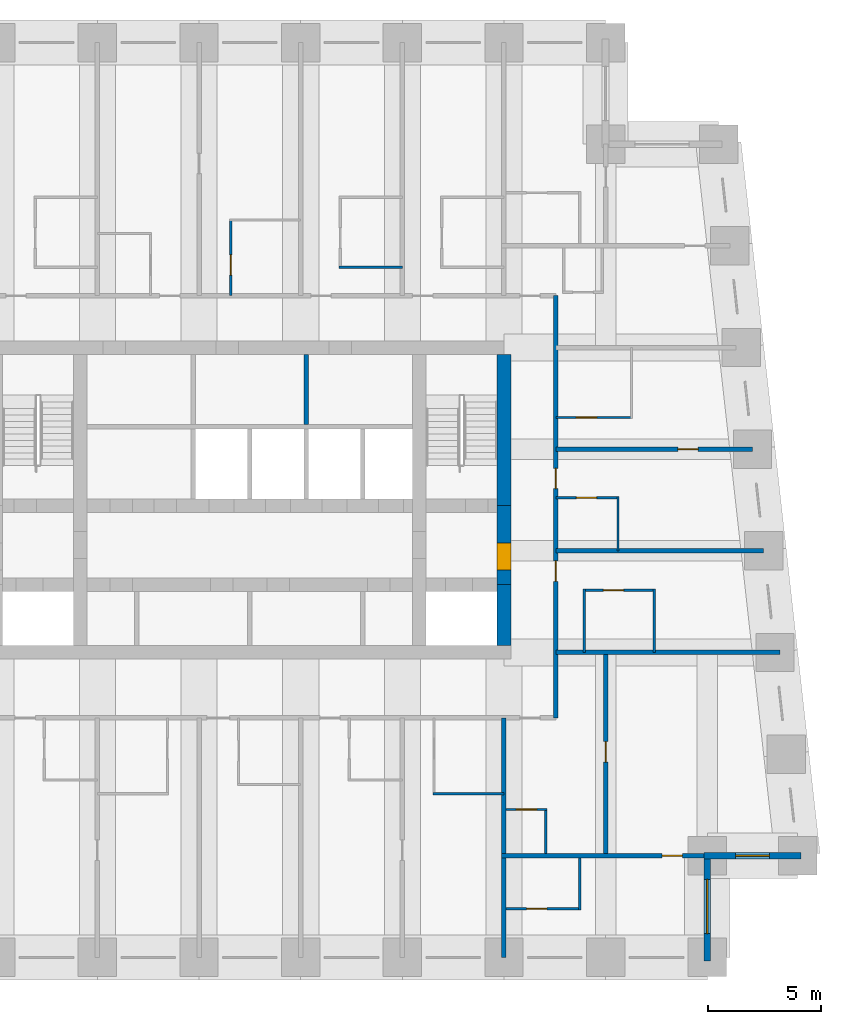
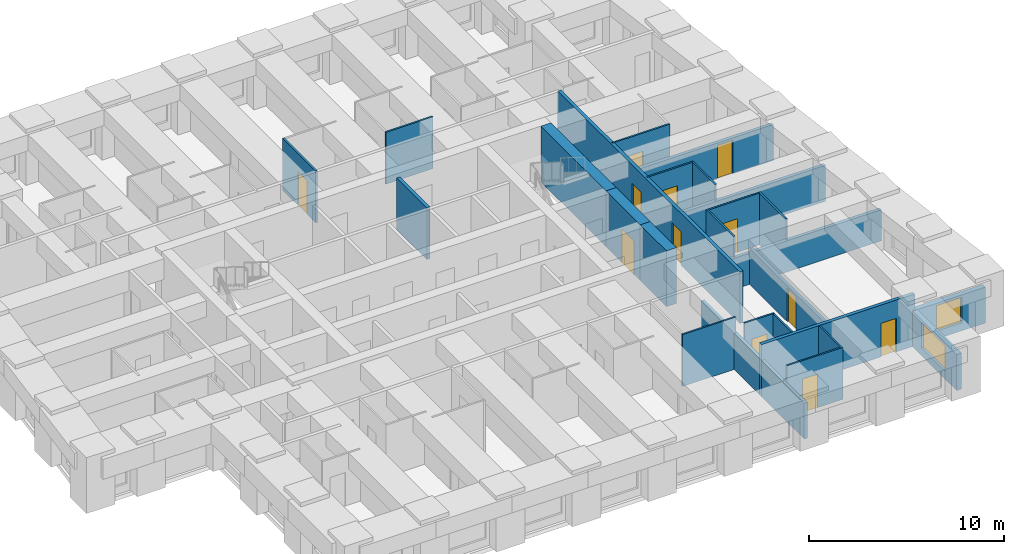
# One storey, part 5 of 8: 26 walls, 12 doors, 2 windows, 14 openings.
"""IFC4 building model written with IfcOpenShell, lengths in metres."""

from ifc_helpers import new_model, si_unit, direction, frame, frame_2d, origin, place, context, subcontext, project, spatial, rectangle, extrude, material, layer, layer_set, type_object, element, fill, save


model = new_model("IFC4")

# Units and contexts
model_context = context("Model", 3, precision=1e-05, world=origin(), true_north=direction((0.0, 1.0)))
body_context = subcontext(model_context, "Body", "Model", "MODEL_VIEW")
ifc_project = project(units=[si_unit("LENGTHUNIT", "METRE"), si_unit("AREAUNIT", "SQUARE_METRE"), si_unit("VOLUMEUNIT", "CUBIC_METRE"), si_unit("PLANEANGLEUNIT", "RADIAN"), si_unit("MASSUNIT", "GRAM", prefix="KILO")], contexts=[model_context])

# Site, building, storey
site_placement = place(None, origin())
site = spatial("IfcSite", under=ifc_project, at=site_placement, CompositionType="ELEMENT")
building_placement = place(site_placement, origin())
building = spatial("IfcBuilding", under=site, at=building_placement, Name="Kilele Tower Hotel", CompositionType="ELEMENT")
storey_placement = place(building_placement, frame((0.0, 0.0, 162.39990234375)))
storey = spatial("IfcBuildingStorey", under=building, at=storey_placement, Name="L41", CompositionType="ELEMENT", Elevation=162.39990234375)

# Walls
ifc_material_1 = material(Name="Moisture-resistant board")
ifc_layer_1 = layer(ifc_material_1, 0.10009765625)
ifc_layer_set_1 = layer_set([ifc_layer_1], Name="Moisture-resistant board")
wall_type_1 = type_object("IfcWallType", Name="Bathroom partition 100", PredefinedType="PLUMBINGWALL", material=ifc_layer_set_1)
wall_1_placement = place(storey_placement, frame((32.85009765625, 7.25, 0.0), z_axis=(0.0, 0.0, 1.0), x_axis=(1.0, 0.0, 0.0)))
element("IfcWall", 1, at=wall_1_placement, inside=storey, type_object=wall_type_1, Name="Bathroom partition 100 L41", PredefinedType="PLUMBINGWALL", context=body_context, shape_type="SweptSolid", body=[
    extrude(rectangle(XDim=3.14990234375, YDim=0.10009765625, at=frame_2d((1.574951171875, 0.0))), origin(), (0.0, 0.0, 1.0), 3.25),
])
for number, where, z_axis, x_axis, name in (
    (2, (39.550048828125, 13.5, 0.0), (0.0, 0.0, 1.0), (0.0, 1.0, 0.0), "Bathroom partition 100 L41"),
    (3, (42.64990234375, 13.5, 0.0), (0.0, 0.0, 1.0), (0.0, 1.0, 0.0), "Bathroom partition 100 L41"),
):
    element("IfcWall", number, at=place(storey_placement, frame(where, z_axis=z_axis, x_axis=x_axis)), inside=storey, type_object=wall_type_1, Name=name, PredefinedType="PLUMBINGWALL", context=body_context, shape_type="SweptSolid", body=[
        extrude(rectangle(XDim=2.800048828125, YDim=0.10009765625, at=frame_2d((1.39990234375, 0.0))), origin(), (0.0, 0.0, 1.0), 3.25),
    ])

# Wall, opening, door
wall_2_placement = place(storey_placement, frame((39.5, 16.25, 0.0), z_axis=(0.0, 0.0, 1.0), x_axis=(1.0, 0.0, 0.0)))
wall_2 = element("IfcWall", 4, at=wall_2_placement, inside=storey, type_object=wall_type_1, Name="Bathroom partition 100 L41", PredefinedType="PLUMBINGWALL", context=body_context, shape_type="SweptSolid", body=[
    extrude(rectangle(XDim=3.199951171875, YDim=0.10009765625, at=frame_2d((1.60009765625, 0.0))), origin(), (0.0, 0.0, 1.0), 3.25),
])
opening_1_placement = place(wall_2_placement, frame((0.89990234375, 0.0, 0.0)))
opening_1 = element("IfcOpeningElement", 5, at=opening_1_placement, cuts=wall_2, Name="Opening D2A", PredefinedType="OPENING", context=body_context, shape_type="SweptSolid", body=[
    extrude(rectangle(XDim=0.89990234375, YDim=2.10009765625, at=frame_2d((0.449951171875, 1.050048828125))), frame((0.0, 0.06005859375, 0.0), z_axis=(0.0, -1.0, 0.0), x_axis=(1.0, 0.0, 0.0)), (0.0, 0.0, 1.0), 0.1201171875),
])
ifc_material_2 = material(Name="Timber door leaf in hardwood frame", Category="wood")
door_type_1 = type_object("IfcDoorType", Name="Bathroom door 900", OperationType="SINGLE_SWING_LEFT", PredefinedType="DOOR", material=ifc_material_2)
door_1_placement = place(opening_1_placement, origin())
door_1 = element("IfcDoor", 6, at=door_1_placement, inside=storey, type_object=door_type_1, Name="Bathroom door 4106B", OperationType="SINGLE_SWING_LEFT", OverallHeight=2.10009765625, OverallWidth=0.89990234375, PredefinedType="DOOR", context=body_context, shape_type="SweptSolid", body=[
    extrude(rectangle(XDim=0.89990234375, YDim=2.10009765625, at=frame_2d((0.449951171875, 1.050048828125))), frame((0.0, 0.02490234375, 0.0), z_axis=(0.0, -1.0, 0.0), x_axis=(1.0, 0.0, 0.0)), (0.0, 0.0, 1.0), 0.050048828125),
])
fill(opening_1, door_1)

# Wall
wall_3_placement = place(storey_placement, frame((41.050048828125, 18.0, 0.0), z_axis=(0.0, 0.0, 1.0), x_axis=(0.0, 1.0, 0.0)))
element("IfcWall", 7, at=wall_3_placement, inside=storey, type_object=wall_type_1, Name="Bathroom partition 100 L41", PredefinedType="PLUMBINGWALL", context=body_context, shape_type="SweptSolid", body=[
    extrude(rectangle(XDim=2.39990234375, YDim=0.10009765625, at=frame_2d((1.199951171875, 0.0))), origin(), (0.0, 0.0, 1.0), 3.25),
])

# Wall, opening, door
wall_4_placement = place(storey_placement, frame((38.300048828125, 20.35009765625, 0.0), z_axis=(0.0, 0.0, 1.0), x_axis=(1.0, 0.0, 0.0)))
wall_4 = element("IfcWall", 8, at=wall_4_placement, inside=storey, type_object=wall_type_1, Name="Bathroom partition 100 L41", PredefinedType="PLUMBINGWALL", context=body_context, shape_type="SweptSolid", body=[
    extrude(rectangle(XDim=2.800048828125, YDim=0.10009765625, at=frame_2d((1.39990234375, 0.0))), origin(), (0.0, 0.0, 1.0), 3.25),
])
opening_2_placement = place(wall_4_placement, frame((0.89990234375, 0.0, 0.0)))
opening_2 = element("IfcOpeningElement", 9, at=opening_2_placement, cuts=wall_4, Name="Opening D2A", PredefinedType="OPENING", context=body_context, shape_type="SweptSolid", body=[
    extrude(rectangle(XDim=0.89990234375, YDim=2.10009765625, at=frame_2d((0.449951171875, 1.050048828125))), frame((0.0, 0.06005859375, 0.0), z_axis=(0.0, -1.0, 0.0), x_axis=(1.0, 0.0, 0.0)), (0.0, 0.0, 1.0), 0.1201171875),
])
door_2_placement = place(opening_2_placement, origin())
door_2 = element("IfcDoor", 10, at=door_2_placement, inside=storey, type_object=door_type_1, Name="Bathroom door 4107B", OperationType="SINGLE_SWING_LEFT", OverallHeight=2.10009765625, OverallWidth=0.89990234375, PredefinedType="DOOR", context=body_context, shape_type="SweptSolid", body=[
    extrude(rectangle(XDim=0.89990234375, YDim=2.10009765625, at=frame_2d((0.449951171875, 1.050048828125))), frame((0.0, 0.02490234375, 0.0), z_axis=(0.0, -1.0, 0.0), x_axis=(1.0, 0.0, 0.0)), (0.0, 0.0, 1.0), 0.050048828125),
])
fill(opening_2, door_2)

wall_5_placement = place(storey_placement, frame((38.300048828125, 23.89990234375, 0.0), z_axis=(0.0, 0.0, 1.0), x_axis=(1.0, 0.0, 0.0)))
wall_5 = element("IfcWall", 11, at=wall_5_placement, inside=storey, type_object=wall_type_1, Name="Bathroom partition 100 L41", PredefinedType="PLUMBINGWALL", context=body_context, shape_type="SweptSolid", body=[
    extrude(rectangle(XDim=3.39990234375, YDim=0.10009765625, at=frame_2d((1.699951171875, 0.0))), origin(), (0.0, 0.0, 1.0), 3.25),
])
opening_3_placement = place(wall_5_placement, frame((1.7998046875, 0.0, 0.0), z_axis=(0.0, 0.0, 1.0), x_axis=(-1.0, 0.0, 0.0)))
opening_3 = element("IfcOpeningElement", 12, at=opening_3_placement, cuts=wall_5, Name="Opening D2A", PredefinedType="OPENING", context=body_context, shape_type="SweptSolid", body=[
    extrude(rectangle(XDim=0.89990234375, YDim=2.10009765625, at=frame_2d((0.449951171875, 1.050048828125))), frame((0.0, 0.06005859375, 0.0), z_axis=(0.0, -1.0, 0.0), x_axis=(1.0, 0.0, 0.0)), (0.0, 0.0, 1.0), 0.1201171875),
])
door_3_placement = place(opening_3_placement, origin())
door_3 = element("IfcDoor", 13, at=door_3_placement, inside=storey, type_object=door_type_1, Name="Bathroom door 4108B", OperationType="SINGLE_SWING_RIGHT", OverallHeight=2.10009765625, OverallWidth=0.89990234375, PredefinedType="DOOR", context=body_context, shape_type="SweptSolid", body=[
    extrude(rectangle(XDim=0.89990234375, YDim=2.10009765625, at=frame_2d((0.449951171875, 1.050048828125))), frame((0.0, 0.02490234375, 0.0), z_axis=(0.0, -1.0, 0.0), x_axis=(1.0, 0.0, 0.0)), (0.0, 0.0, 1.0), 0.050048828125),
])
fill(opening_3, door_3)

wall_6_placement = place(storey_placement, frame((23.89990234375, 29.300048828125, 0.0), z_axis=(0.0, 0.0, 1.0), x_axis=(0.0, 1.0, 0.0)))
wall_6 = element("IfcWall", 14, at=wall_6_placement, inside=storey, type_object=wall_type_1, Name="Bathroom partition 100 L41", PredefinedType="PLUMBINGWALL", context=body_context, shape_type="SweptSolid", body=[
    extrude(rectangle(XDim=3.39990234375, YDim=0.10009765625, at=frame_2d((1.699951171875, 0.0))), origin(), (0.0, 0.0, 1.0), 3.25),
])
opening_4_placement = place(wall_6_placement, frame((0.89990234375, 0.0, 0.0)))
opening_4 = element("IfcOpeningElement", 15, at=opening_4_placement, cuts=wall_6, Name="Opening D2A", PredefinedType="OPENING", context=body_context, shape_type="SweptSolid", body=[
    extrude(rectangle(XDim=0.89990234375, YDim=2.10009765625, at=frame_2d((0.449951171875, 1.050048828125))), frame((0.0, 0.06005859375, 0.0), z_axis=(0.0, -1.0, 0.0), x_axis=(1.0, 0.0, 0.0)), (0.0, 0.0, 1.0), 0.1201171875),
])
door_4_placement = place(opening_4_placement, origin())
door_4 = element("IfcDoor", 16, at=door_4_placement, inside=storey, type_object=door_type_1, Name="Bathroom door 4111B", OperationType="SINGLE_SWING_LEFT", OverallHeight=2.10009765625, OverallWidth=0.89990234375, PredefinedType="DOOR", context=body_context, shape_type="SweptSolid", body=[
    extrude(rectangle(XDim=0.89990234375, YDim=2.10009765625, at=frame_2d((0.449951171875, 1.050048828125))), frame((0.0, 0.02490234375, 0.0), z_axis=(0.0, -1.0, 0.0), x_axis=(1.0, 0.0, 0.0)), (0.0, 0.0, 1.0), 0.050048828125),
])
fill(opening_4, door_4)

# Walls
wall_7_placement = place(storey_placement, frame((28.699951171875, 30.550048828125, 0.0), z_axis=(0.0, 0.0, 1.0), x_axis=(1.0, 0.0, 0.0)))
element("IfcWall", 17, at=wall_7_placement, inside=storey, type_object=wall_type_1, Name="Bathroom partition 100 L41", PredefinedType="PLUMBINGWALL", context=body_context, shape_type="SweptSolid", body=[
    extrude(rectangle(XDim=2.800048828125, YDim=0.10009765625, at=frame_2d((1.39990234375, 0.0))), origin(), (0.0, 0.0, 1.0), 3.25),
])
wall_8_placement = place(storey_placement, frame((37.85009765625, 4.60009765625, 0.0), z_axis=(0.0, 0.0, 1.0), x_axis=(0.0, 1.0, 0.0)))
element("IfcWall", 18, at=wall_8_placement, inside=storey, type_object=wall_type_1, Name="Bathroom partition 100 L41", PredefinedType="PLUMBINGWALL", context=body_context, shape_type="SweptSolid", body=[
    extrude(rectangle(XDim=2.0, YDim=0.10009765625, at=frame_2d((1.0, 0.0))), origin(), (0.0, 0.0, 1.0), 3.25),
])

# Wall, opening, door
wall_9_placement = place(storey_placement, frame((36.10009765625, 6.550048828125, 0.0), z_axis=(0.0, 0.0, 1.0), x_axis=(1.0, 0.0, 0.0)))
wall_9 = element("IfcWall", 19, at=wall_9_placement, inside=storey, type_object=wall_type_1, Name="Bathroom partition 100 L41", PredefinedType="PLUMBINGWALL", context=body_context, shape_type="SweptSolid", body=[
    extrude(rectangle(XDim=1.7998046875, YDim=0.10009765625, at=frame_2d((0.89990234375, 0.0))), origin(), (0.0, 0.0, 1.0), 3.25),
])
opening_5_placement = place(wall_9_placement, frame((0.449951171875, 0.0, 0.0)))
opening_5 = element("IfcOpeningElement", 20, at=opening_5_placement, cuts=wall_9, Name="Opening D2A", PredefinedType="OPENING", context=body_context, shape_type="SweptSolid", body=[
    extrude(rectangle(XDim=0.89990234375, YDim=2.10009765625, at=frame_2d((0.449951171875, 1.050048828125))), frame((0.0, 0.06005859375, 0.0), z_axis=(0.0, -1.0, 0.0), x_axis=(1.0, 0.0, 0.0)), (0.0, 0.0, 1.0), 0.1201171875),
])
door_5_placement = place(opening_5_placement, origin())
door_5 = element("IfcDoor", 21, at=door_5_placement, inside=storey, type_object=door_type_1, Name="Bathroom door 4119P", OperationType="SINGLE_SWING_LEFT", OverallHeight=2.10009765625, OverallWidth=0.89990234375, PredefinedType="DOOR", context=body_context, shape_type="SweptSolid", body=[
    extrude(rectangle(XDim=0.89990234375, YDim=2.10009765625, at=frame_2d((0.449951171875, 1.050048828125))), frame((0.0, 0.02490234375, 0.0), z_axis=(0.0, -1.0, 0.0), x_axis=(1.0, 0.0, 0.0)), (0.0, 0.0, 1.0), 0.050048828125),
])
fill(opening_5, door_5)

# Wall
wall_10_placement = place(storey_placement, frame((39.35009765625, 4.39990234375, 0.0), z_axis=(0.0, 0.0, 1.0), x_axis=(0.0, -1.0, 0.0)))
element("IfcWall", 22, at=wall_10_placement, inside=storey, type_object=wall_type_1, Name="Bathroom partition 100 L41", PredefinedType="PLUMBINGWALL", context=body_context, shape_type="SweptSolid", body=[
    extrude(rectangle(XDim=2.2998046875, YDim=0.10009765625, at=frame_2d((1.14990234375, 0.0))), origin(), (0.0, 0.0, 1.0), 3.25),
])

# Wall, opening, door
wall_11_placement = place(storey_placement, frame((36.10009765625, 2.14990234375, 0.0), z_axis=(0.0, 0.0, 1.0), x_axis=(1.0, 0.0, 0.0)))
wall_11 = element("IfcWall", 23, at=wall_11_placement, inside=storey, type_object=wall_type_1, Name="Bathroom partition 100 L41", PredefinedType="PLUMBINGWALL", context=body_context, shape_type="SweptSolid", body=[
    extrude(rectangle(XDim=3.2998046875, YDim=0.10009765625, at=frame_2d((1.64990234375, 0.0))), origin(), (0.0, 0.0, 1.0), 3.25),
])
opening_6_placement = place(wall_11_placement, frame((1.7998046875, 0.0, 0.0), z_axis=(0.0, 0.0, 1.0), x_axis=(-1.0, 0.0, 0.0)))
opening_6 = element("IfcOpeningElement", 24, at=opening_6_placement, cuts=wall_11, Name="Opening D2A", PredefinedType="OPENING", context=body_context, shape_type="SweptSolid", body=[
    extrude(rectangle(XDim=0.89990234375, YDim=2.10009765625, at=frame_2d((0.449951171875, 1.050048828125))), frame((0.0, 0.06005859375, 0.0), z_axis=(0.0, -1.0, 0.0), x_axis=(1.0, 0.0, 0.0)), (0.0, 0.0, 1.0), 0.1201171875),
])
door_6_placement = place(opening_6_placement, origin())
door_6 = element("IfcDoor", 25, at=door_6_placement, inside=storey, type_object=door_type_1, Name="Bathroom door 4121B", OperationType="SINGLE_SWING_RIGHT", OverallHeight=2.10009765625, OverallWidth=0.89990234375, PredefinedType="DOOR", context=body_context, shape_type="SweptSolid", body=[
    extrude(rectangle(XDim=0.89990234375, YDim=2.10009765625, at=frame_2d((0.449951171875, 1.050048828125))), frame((0.0, 0.02490234375, 0.0), z_axis=(0.0, -1.0, 0.0), x_axis=(1.0, 0.0, 0.0)), (0.0, 0.0, 1.0), 0.050048828125),
])
fill(opening_6, door_6)

# Wall
ifc_material_3 = material(Name="Concrete C70/85", Category="concrete")
ifc_layer_2 = layer(ifc_material_3, 0.60009765625)
ifc_layer_set_2 = layer_set([ifc_layer_2], Name="Concrete C70/85")
wall_type_2 = type_object("IfcWallType", Name="Core wall 600 C70/85", PredefinedType="SHEAR", material=ifc_layer_set_2)
wall_12_placement = place(storey_placement, frame((36.0, 13.800048828125, 0.0), z_axis=(0.0, 0.0, 1.0), x_axis=(0.0, 1.0, 0.0)))
element("IfcWall", 26, at=wall_12_placement, inside=storey, type_object=wall_type_2, Name="Core wall E1 L41", PredefinedType="SHEAR", context=body_context, shape_type="SweptSolid", body=[
    extrude(rectangle(XDim=2.699951171875, YDim=0.60009765625, at=frame_2d((1.35009765625, 0.0))), origin(), (0.0, 0.0, 1.0), 3.5),
])

# Wall, opening, door
wall_13_placement = place(storey_placement, frame((36.0, 16.5, 0.0), z_axis=(0.0, 0.0, 1.0), x_axis=(0.0, 1.0, 0.0)))
wall_13 = element("IfcWall", 27, at=wall_13_placement, inside=storey, type_object=wall_type_2, Name="Core wall E2 L41", PredefinedType="SHEAR", context=body_context, shape_type="SweptSolid", body=[
    extrude(rectangle(XDim=3.5, YDim=0.60009765625, at=frame_2d((1.75, 0.0))), origin(), (0.0, 0.0, 1.0), 3.5),
])
opening_7_placement = place(wall_13_placement, frame((0.64990234375, 0.0, 0.0)))
opening_7 = element("IfcOpeningElement", 28, at=opening_7_placement, cuts=wall_13, Name="Opening D4", PredefinedType="OPENING", context=body_context, shape_type="SweptSolid", body=[
    extrude(rectangle(XDim=1.199951171875, YDim=2.10009765625, at=frame_2d((0.60009765625, 1.050048828125))), frame((0.0, 0.31005859375, 0.0), z_axis=(0.0, -1.0, 0.0), x_axis=(1.0, 0.0, 0.0)), (0.0, 0.0, 1.0), 0.6201171875),
])
ifc_material_4 = material(Name="Timber door leaf in hardwood frame", Category="wood")
door_type_2 = type_object("IfcDoorType", Name="Firefighting lobby door 1200", OperationType="SINGLE_SWING_LEFT", PredefinedType="DOOR", material=ifc_material_4)
door_7_placement = place(opening_7_placement, origin())
door_7 = element("IfcDoor", 29, at=door_7_placement, inside=storey, type_object=door_type_2, Name="Lobby door L41", OperationType="SINGLE_SWING_LEFT", OverallHeight=2.10009765625, OverallWidth=1.199951171875, PredefinedType="DOOR", context=body_context, shape_type="SweptSolid", body=[
    extrude(rectangle(XDim=1.199951171875, YDim=2.10009765625, at=frame_2d((0.60009765625, 1.050048828125))), frame((0.0, 0.2998046875, 0.0), z_axis=(0.0, -1.0, 0.0), x_axis=(1.0, 0.0, 0.0)), (0.0, 0.0, 1.0), 0.599609375),
])
fill(opening_7, door_7)

# Wall
wall_14_placement = place(storey_placement, frame((36.0, 20.0, 0.0), z_axis=(0.0, 0.0, 1.0), x_axis=(0.0, 1.0, 0.0)))
element("IfcWall", 30, at=wall_14_placement, inside=storey, type_object=wall_type_2, Name="Core wall E3 L41", PredefinedType="SHEAR", context=body_context, shape_type="SweptSolid", body=[
    extrude(rectangle(XDim=6.699951171875, YDim=0.60009765625, at=frame_2d((3.35009765625, 0.0))), origin(), (0.0, 0.0, 1.0), 3.5),
])

# Wall, openings, doors
ifc_material_5 = material(Name="Blockwork, plastered both sides", Category="masonry")
ifc_layer_3 = layer(ifc_material_5, 0.199951171875)
ifc_layer_set_3 = layer_set([ifc_layer_3], Name="Blockwork, plastered both sides")
wall_type_3 = type_object("IfcWallType", Name="Corridor wall 200", PredefinedType="PARTITIONING", material=ifc_layer_set_3)
wall_15_placement = place(storey_placement, frame((38.300048828125, 10.60009765625, 0.0), z_axis=(0.0, 0.0, 1.0), x_axis=(0.0, 1.0, 0.0)))
wall_15 = element("IfcWall", 31, at=wall_15_placement, inside=storey, type_object=wall_type_3, Name="Corridor wall 200 L41", PredefinedType="PARTITIONING", context=body_context, shape_type="SweptSolid", body=[
    extrude(rectangle(XDim=18.699951171875, YDim=0.199951171875, at=frame_2d((9.35009765625, 0.0))), origin(), (0.0, 0.0, 1.0), 3.25),
])
opening_8_placement = place(wall_15_placement, frame((6.949951171875, 0.0, 0.0), z_axis=(0.0, 0.0, 1.0), x_axis=(-1.0, 0.0, 0.0)))
opening_8 = element("IfcOpeningElement", 32, at=opening_8_placement, cuts=wall_15, Name="Opening D1", PredefinedType="OPENING", context=body_context, shape_type="SweptSolid", body=[
    extrude(rectangle(XDim=0.89990234375, YDim=2.10009765625, at=frame_2d((0.449951171875, 1.050048828125))), frame((0.0, 0.10986328125, 0.0), z_axis=(0.0, -1.0, 0.0), x_axis=(1.0, 0.0, 0.0)), (0.0, 0.0, 1.0), 0.219970703125),
])
opening_9_placement = place(wall_15_placement, frame((11.0498046875, 0.0, 0.0), z_axis=(0.0, 0.0, 1.0), x_axis=(-1.0, 0.0, 0.0)))
opening_9 = element("IfcOpeningElement", 33, at=opening_9_placement, cuts=wall_15, Name="Opening D1", PredefinedType="OPENING", context=body_context, shape_type="SweptSolid", body=[
    extrude(rectangle(XDim=0.89990234375, YDim=2.10009765625, at=frame_2d((0.449951171875, 1.050048828125))), frame((0.0, 0.10986328125, 0.0), z_axis=(0.0, -1.0, 0.0), x_axis=(1.0, 0.0, 0.0)), (0.0, 0.0, 1.0), 0.219970703125),
])
ifc_material_6 = material(Name="Timber door leaf in hardwood frame", Category="wood")
door_type_3 = type_object("IfcDoorType", Name="Guest room entrance door 900", OperationType="SINGLE_SWING_LEFT", PredefinedType="DOOR", material=ifc_material_6)
door_8_placement = place(opening_8_placement, origin())
door_8 = element("IfcDoor", 34, at=door_8_placement, inside=storey, type_object=door_type_3, Name="Room entrance 4106", OperationType="SINGLE_SWING_LEFT", OverallHeight=2.10009765625, OverallWidth=0.89990234375, PredefinedType="DOOR", context=body_context, shape_type="SweptSolid", body=[
    extrude(rectangle(XDim=0.89990234375, YDim=2.10009765625, at=frame_2d((0.449951171875, 1.050048828125))), frame((0.0, 0.02490234375, 0.0), z_axis=(0.0, -1.0, 0.0), x_axis=(1.0, 0.0, 0.0)), (0.0, 0.0, 1.0), 0.050048828125),
])
fill(opening_8, door_8)
door_9_placement = place(opening_9_placement, origin())
door_9 = element("IfcDoor", 35, at=door_9_placement, inside=storey, type_object=door_type_3, Name="Room entrance 4107", OperationType="SINGLE_SWING_RIGHT", OverallHeight=2.10009765625, OverallWidth=0.89990234375, PredefinedType="DOOR", context=body_context, shape_type="SweptSolid", body=[
    extrude(rectangle(XDim=0.89990234375, YDim=2.10009765625, at=frame_2d((0.449951171875, 1.050048828125))), frame((0.0, 0.02490234375, 0.0), z_axis=(0.0, -1.0, 0.0), x_axis=(1.0, 0.0, 0.0)), (0.0, 0.0, 1.0), 0.050048828125),
])
fill(opening_9, door_9)

# Wall, opening, door
ifc_material_7 = material(Name="Blockwork, plastered both sides", Category="masonry")
ifc_layer_4 = layer(ifc_material_7, 0.199951171875)
ifc_layer_set_4 = layer_set([ifc_layer_4], Name="Blockwork, plastered both sides")
wall_type_4 = type_object("IfcWallType", Name="Partition wall 200", PredefinedType="PARTITIONING", material=ifc_layer_set_4)
wall_16_placement = place(storey_placement, frame((40.5, 4.60009765625, 0.0), z_axis=(0.0, 0.0, 1.0), x_axis=(0.0, 1.0, 0.0)))
wall_16 = element("IfcWall", 36, at=wall_16_placement, inside=storey, type_object=wall_type_4, Name="Partition wall 200 L41", PredefinedType="PARTITIONING", context=body_context, shape_type="SweptSolid", body=[
    extrude(rectangle(XDim=8.7998046875, YDim=0.199951171875, at=frame_2d((4.39990234375, 0.0))), origin(), (0.0, 0.0, 1.0), 2.25),
])
opening_10_placement = place(wall_16_placement, frame((4.050048828125, 0.0, 0.0)))
opening_10 = element("IfcOpeningElement", 37, at=opening_10_placement, cuts=wall_16, Name="Opening D3", PredefinedType="OPENING", context=body_context, shape_type="SweptSolid", body=[
    extrude(rectangle(XDim=0.89990234375, YDim=2.10009765625, at=frame_2d((0.449951171875, 1.050048828125))), frame((0.0, 0.10986328125, 0.0), z_axis=(0.0, -1.0, 0.0), x_axis=(1.0, 0.0, 0.0)), (0.0, 0.0, 1.0), 0.219970703125),
])
ifc_material_8 = material(Name="Timber door leaf in hardwood frame", Category="wood")
door_type_4 = type_object("IfcDoorType", Name="Suite internal door 900", OperationType="SINGLE_SWING_LEFT", PredefinedType="DOOR", material=ifc_material_8)
door_10_placement = place(opening_10_placement, origin())
door_10 = element("IfcDoor", 38, at=door_10_placement, inside=storey, type_object=door_type_4, Name="Suite door 4120", OperationType="SINGLE_SWING_RIGHT", OverallHeight=2.10009765625, OverallWidth=0.89990234375, PredefinedType="DOOR", context=body_context, shape_type="SweptSolid", body=[
    extrude(rectangle(XDim=0.89990234375, YDim=2.10009765625, at=frame_2d((0.449951171875, 1.050048828125))), frame((0.0, 0.02490234375, 0.0), z_axis=(0.0, -1.0, 0.0), x_axis=(1.0, 0.0, 0.0)), (0.0, 0.0, 1.0), 0.050048828125),
])
fill(opening_10, door_10)

# Wall
ifc_material_9 = material(Name="Blockwork, plastered both sides", Category="masonry")
ifc_layer_5 = layer(ifc_material_9, 0.199951171875)
ifc_layer_set_5 = layer_set([ifc_layer_5], Name="Blockwork, plastered both sides")
wall_type_5 = type_object("IfcWallType", Name="Party wall 200", PredefinedType="PARTITIONING", material=ifc_layer_set_5)
wall_17_placement = place(storey_placement, frame((38.300048828125, 18.0, 0.0), z_axis=(0.0, 0.0, 1.0), x_axis=(1.0, 0.0, 0.0)))
element("IfcWall", 39, at=wall_17_placement, inside=storey, type_object=wall_type_5, Name="Party wall 200 L41", PredefinedType="PARTITIONING", context=body_context, shape_type="SweptSolid", body=[
    extrude(rectangle(XDim=9.198974609375, YDim=0.199951171875, at=frame_2d((4.599609375, 0.0))), origin(), (0.0, 0.0, 1.0), 2.25),
])

# Wall, opening, door
wall_18_placement = place(storey_placement, frame((38.300048828125, 22.5, 0.0), z_axis=(0.0, 0.0, 1.0), x_axis=(1.0, 0.0, 0.0)))
wall_18 = element("IfcWall", 40, at=wall_18_placement, inside=storey, type_object=wall_type_5, Name="Party wall 200 L41", PredefinedType="PARTITIONING", context=body_context, shape_type="SweptSolid", body=[
    extrude(rectangle(XDim=8.698974609375, YDim=0.199951171875, at=frame_2d((4.349609375, 0.0))), origin(), (0.0, 0.0, 1.0), 2.25),
])
opening_11_placement = place(wall_18_placement, frame((5.39990234375, 0.0, 0.0)))
opening_11 = element("IfcOpeningElement", 41, at=opening_11_placement, cuts=wall_18, Name="Opening D3", PredefinedType="OPENING", context=body_context, shape_type="SweptSolid", body=[
    extrude(rectangle(XDim=0.89990234375, YDim=2.10009765625, at=frame_2d((0.449951171875, 1.050048828125))), frame((0.0, 0.10986328125, 0.0), z_axis=(0.0, -1.0, 0.0), x_axis=(1.0, 0.0, 0.0)), (0.0, 0.0, 1.0), 0.219970703125),
])
door_11_placement = place(opening_11_placement, origin())
door_11 = element("IfcDoor", 42, at=door_11_placement, inside=storey, type_object=door_type_4, Name="Suite door 4108", OperationType="SINGLE_SWING_RIGHT", OverallHeight=2.10009765625, OverallWidth=0.89990234375, PredefinedType="DOOR", context=body_context, shape_type="SweptSolid", body=[
    extrude(rectangle(XDim=0.89990234375, YDim=2.10009765625, at=frame_2d((0.449951171875, 1.050048828125))), frame((0.0, 0.02490234375, 0.0), z_axis=(0.0, -1.0, 0.0), x_axis=(1.0, 0.0, 0.0)), (0.0, 0.0, 1.0), 0.050048828125),
])
fill(opening_11, door_11)

# Walls
wall_19_placement = place(storey_placement, frame((38.300048828125, 13.5, 0.0), z_axis=(0.0, 0.0, 1.0), x_axis=(1.0, 0.0, 0.0)))
element("IfcWall", 43, at=wall_19_placement, inside=storey, type_object=wall_type_5, Name="Party wall 200 L41", PredefinedType="PARTITIONING", context=body_context, shape_type="SweptSolid", body=[
    extrude(rectangle(XDim=9.921142578125, YDim=0.199951171875, at=frame_2d((4.96044921875, 0.0))), origin(), (0.0, 0.0, 1.0), 1.9501953125),
])
wall_20_placement = place(storey_placement, frame((36.0, 10.60009765625, 0.0), z_axis=(0.0, 0.0, 1.0), x_axis=(0.0, -1.0, 0.0)))
element("IfcWall", 44, at=wall_20_placement, inside=storey, type_object=wall_type_5, Name="Party wall 200 L41", PredefinedType="PARTITIONING", context=body_context, shape_type="SweptSolid", body=[
    extrude(rectangle(XDim=10.60009765625, YDim=0.199951171875, at=frame_2d((5.300048828125, 0.0))), origin(), (0.0, 0.0, 1.0), 2.25),
])

# Wall, opening, door
wall_21_placement = place(storey_placement, frame((35.89990234375, 4.5, 0.0), z_axis=(0.0, 0.0, 1.0), x_axis=(1.0, 0.0, 0.0)))
wall_21 = element("IfcWall", 45, at=wall_21_placement, inside=storey, type_object=wall_type_5, Name="Party wall 200 L41", PredefinedType="PARTITIONING", context=body_context, shape_type="SweptSolid", body=[
    extrude(rectangle(XDim=9.10009765625, YDim=0.199951171875, at=frame_2d((4.550048828125, 0.0))), origin(), (0.0, 0.0, 1.0), 3.25),
])
opening_12_placement = place(wall_21_placement, frame((7.10009765625, 0.0, 0.0)))
opening_12 = element("IfcOpeningElement", 46, at=opening_12_placement, cuts=wall_21, Name="Opening D3", PredefinedType="OPENING", context=body_context, shape_type="SweptSolid", body=[
    extrude(rectangle(XDim=0.89990234375, YDim=2.10009765625, at=frame_2d((0.449951171875, 1.050048828125))), frame((0.0, 0.10986328125, 0.0), z_axis=(0.0, -1.0, 0.0), x_axis=(1.0, 0.0, 0.0)), (0.0, 0.0, 1.0), 0.219970703125),
])
door_12_placement = place(opening_12_placement, origin())
door_12 = element("IfcDoor", 47, at=door_12_placement, inside=storey, type_object=door_type_4, Name="Suite door 4121", OperationType="SINGLE_SWING_RIGHT", OverallHeight=2.10009765625, OverallWidth=0.89990234375, PredefinedType="DOOR", context=body_context, shape_type="SweptSolid", body=[
    extrude(rectangle(XDim=0.89990234375, YDim=2.10009765625, at=frame_2d((0.449951171875, 1.050048828125))), frame((0.0, 0.02490234375, 0.0), z_axis=(0.0, -1.0, 0.0), x_axis=(1.0, 0.0, 0.0)), (0.0, 0.0, 1.0), 0.050048828125),
])
fill(opening_12, door_12)

# Wall, opening, window
ifc_material_10 = material(Name="Concrete C40/50 precast", Category="concrete")
ifc_layer_6 = layer(ifc_material_10, 0.260009765625, Name="Precast backing", Category="LoadBearing")
ifc_material_11 = material(Name="Reconstituted stone finish", Category="masonry")
ifc_layer_7 = layer(ifc_material_11, 0.0400390625, Name="Face mix", Category="Finish")
ifc_layer_set_6 = layer_set([ifc_layer_6, ifc_layer_7], Name="Precast concrete C40/50, reconstituted stone finish")
wall_type_6 = type_object("IfcWallType", Name="Precast stone facade wall 300", PredefinedType="STANDARD", material=ifc_layer_set_6)
wall_22_placement = place(storey_placement, frame((45.0, -0.14990234375, 0.0), z_axis=(0.0, 0.0, 1.0), x_axis=(0.0, 1.0, 0.0)))
wall_22 = element("IfcWall", 48, at=wall_22_placement, inside=storey, type_object=wall_type_6, Name="Facade wall L41 edge 4", PredefinedType="STANDARD", context=body_context, shape_type="SweptSolid", body=[
    extrude(rectangle(XDim=4.7998046875, YDim=0.300048828125, at=frame_2d((2.39990234375, 0.0))), origin(), (0.0, 0.0, 1.0), 2.25),
])
opening_13_placement = place(wall_22_placement, frame((1.199951171875, 0.0, 0.5)))
opening_13 = element("IfcOpeningElement", 49, at=opening_13_placement, cuts=wall_22, Name="Opening W3", PredefinedType="OPENING", context=body_context, shape_type="SweptSolid", body=[
    extrude(rectangle(XDim=2.39990234375, YDim=1.60009765625, at=frame_2d((1.199951171875, 0.800048828125))), frame((0.0, 0.159912109375, 0.0), z_axis=(0.0, -1.0, 0.0), x_axis=(1.0, 0.0, 0.0)), (0.0, 0.0, 1.0), 0.320068359375),
])
ifc_material_12 = material(Name="Aluminium frame, clear double glazing", Category="aluminium")
window_type_1 = type_object("IfcWindowType", Name="Window W3 2400 x 1600", PartitioningType="SINGLE_PANEL", PredefinedType="WINDOW", material=ifc_material_12)
window_1_placement = place(opening_13_placement, origin())
window_1 = element("IfcWindow", 50, at=window_1_placement, inside=storey, type_object=window_type_1, Name="Window L41", OverallHeight=1.60009765625, OverallWidth=2.39990234375, PartitioningType="SINGLE_PANEL", PredefinedType="WINDOW", context=body_context, shape_type="SweptSolid", body=[
    extrude(rectangle(XDim=2.39990234375, YDim=1.60009765625, at=frame_2d((1.199951171875, 0.800048828125))), frame((0.0, 0.030029296875, 0.0), z_axis=(0.0, -1.0, 0.0), x_axis=(1.0, 0.0, 0.0)), (0.0, 0.0, 1.0), 0.06005859375),
])
fill(opening_13, window_1)

wall_23_placement = place(storey_placement, frame((44.85009765625, 4.5, 0.0), z_axis=(0.0, 0.0, 1.0), x_axis=(1.0, 0.0, 0.0)))
wall_23 = element("IfcWall", 51, at=wall_23_placement, inside=storey, type_object=wall_type_6, Name="Facade wall L41 edge 5", PredefinedType="STANDARD", context=body_context, shape_type="SweptSolid", body=[
    extrude(rectangle(XDim=4.2998046875, YDim=0.300048828125, at=frame_2d((2.14990234375, 0.0))), origin(), (0.0, 0.0, 1.0), 2.25),
])
opening_14_placement = place(wall_23_placement, frame((1.39990234375, 0.0, 0.5)))
opening_14 = element("IfcOpeningElement", 52, at=opening_14_placement, cuts=wall_23, Name="Opening W3", PredefinedType="OPENING", context=body_context, shape_type="SweptSolid", body=[
    extrude(rectangle(XDim=1.5, YDim=1.60009765625, at=frame_2d((0.75, 0.800048828125))), frame((0.0, 0.159912109375, 0.0), z_axis=(0.0, -1.0, 0.0), x_axis=(1.0, 0.0, 0.0)), (0.0, 0.0, 1.0), 0.320068359375),
])
ifc_material_13 = material(Name="Aluminium frame, clear double glazing", Category="aluminium")
window_type_2 = type_object("IfcWindowType", Name="Window W3 1500 x 1600", PartitioningType="SINGLE_PANEL", PredefinedType="WINDOW", material=ifc_material_13)
window_2_placement = place(opening_14_placement, origin())
window_2 = element("IfcWindow", 53, at=window_2_placement, inside=storey, type_object=window_type_2, Name="Window L41", OverallHeight=1.60009765625, OverallWidth=1.5, PartitioningType="SINGLE_PANEL", PredefinedType="WINDOW", context=body_context, shape_type="SweptSolid", body=[
    extrude(rectangle(XDim=1.5, YDim=1.60009765625, at=frame_2d((0.75, 0.800048828125))), frame((0.0, 0.030029296875, 0.0), z_axis=(0.0, -1.0, 0.0), x_axis=(1.0, 0.0, 0.0)), (0.0, 0.0, 1.0), 0.06005859375),
])
fill(opening_14, window_2)

# Wall
ifc_material_14 = material(Name="Blockwork, fire-rated", Category="masonry")
ifc_layer_8 = layer(ifc_material_14, 0.199951171875)
ifc_layer_set_7 = layer_set([ifc_layer_8], Name="Blockwork, fire-rated")
wall_type_7 = type_object("IfcWallType", Name="Shaft wall 200", PredefinedType="PARTITIONING", material=ifc_layer_set_7)
wall_24_placement = place(storey_placement, frame((27.25, 23.60009765625, 0.0), z_axis=(0.0, 0.0, 1.0), x_axis=(0.0, 1.0, 0.0)))
element("IfcWall", 54, at=wall_24_placement, inside=storey, type_object=wall_type_7, Name="Shaft wall 200 L41", PredefinedType="PARTITIONING", context=body_context, shape_type="SweptSolid", body=[
    extrude(rectangle(XDim=3.099853515625, YDim=0.199951171875, at=frame_2d((1.5498046875, 0.0))), origin(), (0.0, 0.0, 1.0), 3.25),
])

save(model, "model.ifc")
